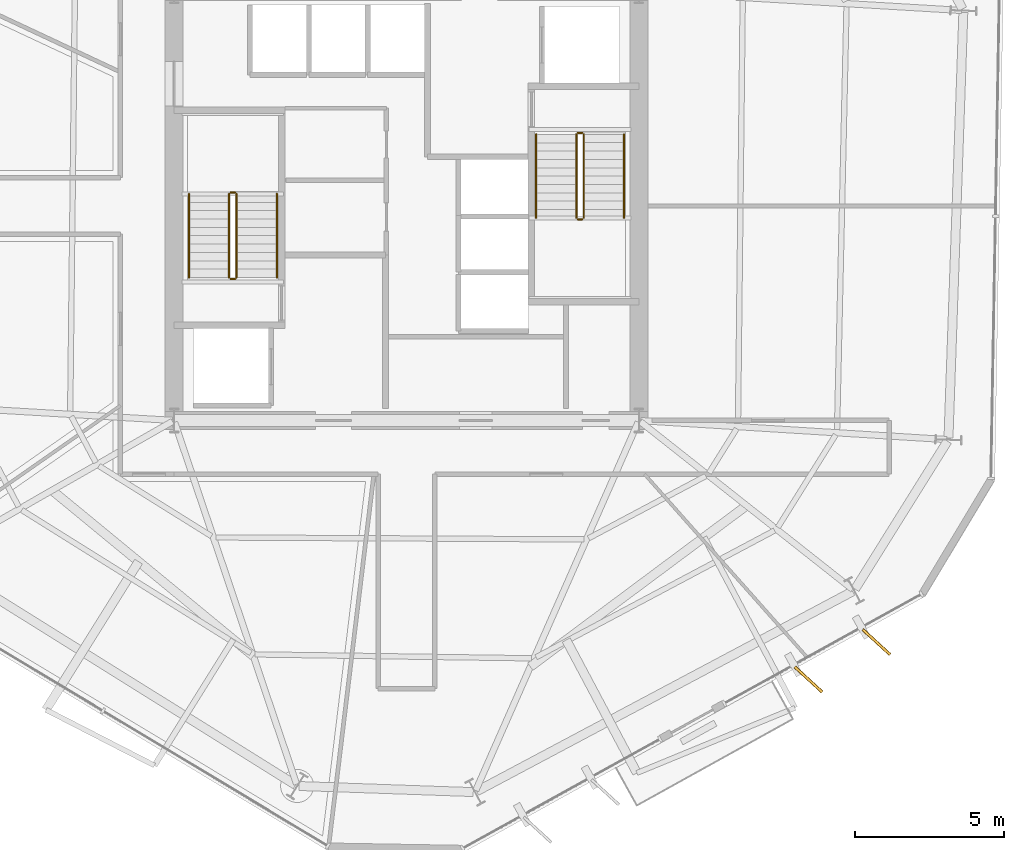
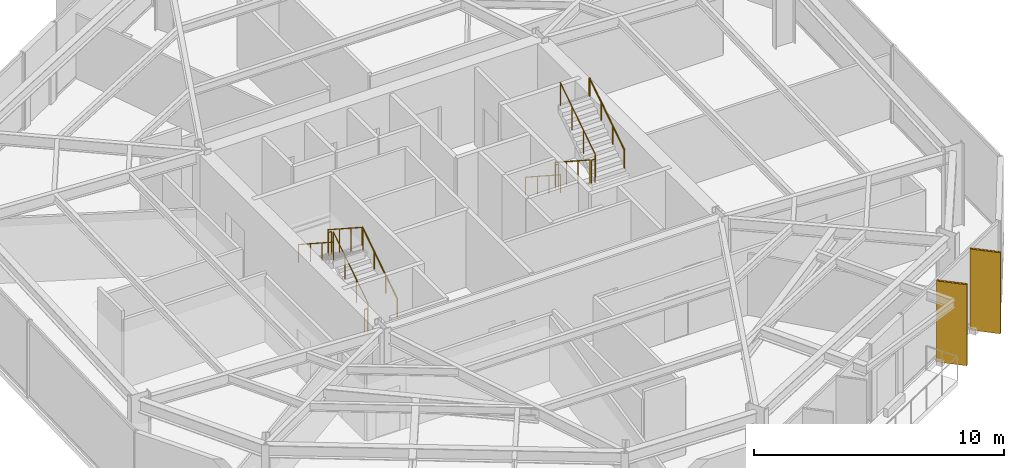
# One storey, part 10 of 11: 12 railings, 2 coverings, 2 shading devices.
"""IFC4 building model written with IfcOpenShell, lengths in metres."""

from ifc_helpers import new_model, si_unit, direction, frame, origin, origin_2d, place, context, subcontext, project, spatial, rectangle, circle, extrude, material, layer, layer_set, type_object, element, save


model = new_model("IFC4")

# Units and contexts
model_context = context("Model", 3, precision=1e-05, world=origin(), true_north=direction((0.0, 1.0)))
body_context = subcontext(model_context, "Body", "Model", "MODEL_VIEW")
ifc_project = project(units=[si_unit("LENGTHUNIT", "METRE"), si_unit("AREAUNIT", "SQUARE_METRE"), si_unit("VOLUMEUNIT", "CUBIC_METRE"), si_unit("PLANEANGLEUNIT", "RADIAN"), si_unit("MASSUNIT", "GRAM", prefix="KILO")], contexts=[model_context])

# Site, building, storey
site_placement = place(None, origin())
site = spatial("IfcSite", under=ifc_project, at=site_placement, CompositionType="ELEMENT")
building_placement = place(site_placement, origin())
building = spatial("IfcBuilding", under=site, at=building_placement, Name="Kranzbogen Civic Tower", CompositionType="ELEMENT")
storey_placement = place(building_placement, frame((0.0, 0.0, 138.39990234375)))
storey = spatial("IfcBuildingStorey", under=building, at=storey_placement, Name="L33", CompositionType="ELEMENT", Elevation=138.39990234375)

# Coverings
ifc_material_1 = material(Name="Pale Anodised Aluminium", Category="aluminium")
ifc_layer = layer(ifc_material_1, 0.02490234375, Name="Pale Anodised Aluminium")
ifc_layer_set = layer_set([ifc_layer], Name="Pale Anodised Aluminium")
covering_type = type_object("IfcCoveringType", Name="Anodised Aluminium Vertical Fin Cladding 25 mm", PredefinedType="CLADDING", material=ifc_layer_set)
for number, where, z_axis, x_axis, name in (
    (1, (38.493896484375, 9.10693359375, -0.139892578125), (0.0, 0.0, 1.0), (0.73622702441, -0.676734636714, 0.0), "L33 vertical fin pale-metal cladding F5-5"),
    (2, (40.76806640625, 10.366943359375, -0.139892578125), (0.0, 0.0, 1.0), (0.73622702441, -0.676734636714, 0.0), "L33 vertical fin pale-metal cladding F5-6"),
):
    element("IfcCovering", number, at=place(storey_placement, frame(where, z_axis=z_axis, x_axis=x_axis)), inside=storey, type_object=covering_type, Name=name, PredefinedType="CLADDING", context=body_context, shape_type="SweptSolid", body=[
        extrude(rectangle(XDim=1.25, YDim=0.10009765625, at=origin_2d()), origin(), (0.0, 0.0, 1.0), 3.9599609375),
    ])

# Shading devices
ifc_material_2 = material(Name="Anodised Bronze Aluminium", Category="aluminium")
shading_device_type = type_object("IfcShadingDeviceType", Name="Anodised Bronze Vertical Facade Fin 1250x80", PredefinedType="USERDEFINED", material=ifc_material_2)
for number, where, z_axis, x_axis, name in (
    (3, (38.493896484375, 9.10693359375, -0.139892578125), (0.0, 0.0, 1.0), (0.73622702441, -0.676734636714, 0.0), "L33 vertical exterior shading fin F5-5"),
    (4, (40.76806640625, 10.366943359375, -0.139892578125), (0.0, 0.0, 1.0), (0.73622702441, -0.676734636714, 0.0), "L33 vertical exterior shading fin F5-6"),
):
    element("IfcShadingDevice", number, at=place(storey_placement, frame(where, z_axis=z_axis, x_axis=x_axis)), inside=storey, type_object=shading_device_type, Name=name, ObjectType="FIN", PredefinedType="USERDEFINED", context=body_context, shape_type="SweptSolid", body=[
        extrude(rectangle(XDim=1.25, YDim=0.080078125, at=origin_2d()), origin(), (0.0, 0.0, 1.0), 3.9599609375),
    ])

# Railings
ifc_material_3 = material(Name="Steel S355", Category="steel")
railing_type_1 = type_object("IfcRailingType", Name="Internal Stair and Void Steel Guardrail 1150", PredefinedType="GUARDRAIL", material=ifc_material_3)
railing_1_placement = place(storey_placement, frame((19.300048828125, 22.60009765625, 0.181884765625)))
element("IfcRailing", 5, at=railing_1_placement, inside=storey, type_object=railing_type_1, Name="L33 ST-T1 stair guard 1", PredefinedType="GUARDRAIL", context=body_context, shape_type="SweptSolid", body=[
    extrude(circle(Radius=0.02392578125, at=origin_2d()), frame((0.0, 0.0, 1.1259765625), z_axis=(0.0, 0.83868413941, 0.544618136222), x_axis=(-1.0, 0.0, 0.0)), (0.0, 0.0, 1.0), 3.33837890625),
    extrude(circle(Radius=0.02099609375, at=origin_2d()), origin(), (0.0, 0.0, 1.0), 1.101806640625),
    extrude(circle(Radius=0.02099609375, at=origin_2d()), frame((0.0, 0.933349609375, 0.60595703125)), (0.0, 0.0, 1.0), 1.101806640625),
    extrude(circle(Radius=0.02099609375, at=origin_2d()), frame((0.0, 1.866455078125, 1.212158203125)), (0.0, 0.0, 1.0), 1.101806640625),
    extrude(circle(Radius=0.02099609375, at=origin_2d()), frame((0.0, 2.7998046875, 1.818115234375)), (0.0, 0.0, 1.0), 1.101806640625),
])
railing_2_placement = place(storey_placement, frame((19.25, 25.449951171875, 2.0)))
element("IfcRailing", 6, at=railing_2_placement, inside=storey, type_object=railing_type_1, Name="L33 ST-T1 stair guard 2", PredefinedType="GUARDRAIL", context=body_context, shape_type="SweptSolid", body=[
    extrude(circle(Radius=0.02392578125, at=origin_2d()), frame((0.0, 0.0, 1.1259765625), z_axis=(-1.0, 0.0, 0.0), x_axis=(0.0, -1.0, 0.0)), (0.0, 0.0, 1.0), 0.14990234375),
    extrude(circle(Radius=0.02099609375, at=origin_2d()), origin(), (0.0, 0.0, 1.0), 1.101806640625),
    extrude(circle(Radius=0.02099609375, at=origin_2d()), frame((-0.14990234375, 0.0, 0.0)), (0.0, 0.0, 1.0), 1.101806640625),
])
railing_3_placement = place(storey_placement, frame((19.050048828125, 25.39990234375, 2.181884765625)))
element("IfcRailing", 7, at=railing_3_placement, inside=storey, type_object=railing_type_1, Name="L33 ST-T1 stair guard 3", PredefinedType="GUARDRAIL", context=body_context, shape_type="SweptSolid", body=[
    extrude(circle(Radius=0.02392578125, at=origin_2d()), frame((0.0, 0.0, 1.1259765625), z_axis=(0.0, -0.83868413941, 0.544618136222), x_axis=(1.0, 0.0, 0.0)), (0.0, 0.0, 1.0), 3.33837890625),
    extrude(circle(Radius=0.02099609375, at=origin_2d()), origin(), (0.0, 0.0, 1.0), 1.101806640625),
    extrude(circle(Radius=0.02099609375, at=origin_2d()), frame((0.0, -0.933349609375, 0.60595703125)), (0.0, 0.0, 1.0), 1.101806640625),
    extrude(circle(Radius=0.02099609375, at=origin_2d()), frame((0.0, -1.866455078125, 1.212158203125)), (0.0, 0.0, 1.0), 1.101806640625),
    extrude(circle(Radius=0.02099609375, at=origin_2d()), frame((0.0, -2.7998046875, 1.818115234375)), (0.0, 0.0, 1.0), 1.101806640625),
])
railing_4_placement = place(storey_placement, frame((19.25, 22.550048828125, 0.0)))
element("IfcRailing", 8, at=railing_4_placement, inside=storey, type_object=railing_type_1, Name="L33 ST-T1 stair guard 4", PredefinedType="GUARDRAIL", context=body_context, shape_type="SweptSolid", body=[
    extrude(circle(Radius=0.02392578125, at=origin_2d()), frame((0.0, 0.0, 1.1259765625), z_axis=(-1.0, 0.0, 0.0), x_axis=(0.0, -1.0, 0.0)), (0.0, 0.0, 1.0), 0.14990234375),
    extrude(circle(Radius=0.02099609375, at=origin_2d()), origin(), (0.0, 0.0, 1.0), 1.101806640625),
    extrude(circle(Radius=0.02099609375, at=origin_2d()), frame((-0.14990234375, 0.0, 0.0)), (0.0, 0.0, 1.0), 1.101806640625),
])
railing_5_placement = place(storey_placement, frame((30.699951171875, 27.39990234375, 0.181884765625)))
element("IfcRailing", 9, at=railing_5_placement, inside=storey, type_object=railing_type_1, Name="L33 ST-T2 stair guard 1", PredefinedType="GUARDRAIL", context=body_context, shape_type="SweptSolid", body=[
    extrude(circle(Radius=0.02392578125, at=origin_2d()), frame((0.0, 0.0, 1.1259765625), z_axis=(0.0, -0.83868413941, 0.544618136222), x_axis=(1.0, 0.0, 0.0)), (0.0, 0.0, 1.0), 3.33837890625),
    extrude(circle(Radius=0.02099609375, at=origin_2d()), origin(), (0.0, 0.0, 1.0), 1.101806640625),
    extrude(circle(Radius=0.02099609375, at=origin_2d()), frame((0.0, -0.933349609375, 0.60595703125)), (0.0, 0.0, 1.0), 1.101806640625),
    extrude(circle(Radius=0.02099609375, at=origin_2d()), frame((0.0, -1.866455078125, 1.212158203125)), (0.0, 0.0, 1.0), 1.101806640625),
    extrude(circle(Radius=0.02099609375, at=origin_2d()), frame((0.0, -2.7998046875, 1.818115234375)), (0.0, 0.0, 1.0), 1.101806640625),
])
railing_6_placement = place(storey_placement, frame((30.75, 24.550048828125, 2.0)))
element("IfcRailing", 10, at=railing_6_placement, inside=storey, type_object=railing_type_1, Name="L33 ST-T2 stair guard 2", PredefinedType="GUARDRAIL", context=body_context, shape_type="SweptSolid", body=[
    extrude(circle(Radius=0.02392578125, at=origin_2d()), frame((0.0, 0.0, 1.1259765625), z_axis=(1.0, 0.0, 0.0), x_axis=(0.0, 1.0, 0.0)), (0.0, 0.0, 1.0), 0.14990234375),
    extrude(circle(Radius=0.02099609375, at=origin_2d()), origin(), (0.0, 0.0, 1.0), 1.101806640625),
    extrude(circle(Radius=0.02099609375, at=origin_2d()), frame((0.14990234375, 0.0, 0.0)), (0.0, 0.0, 1.0), 1.101806640625),
])
railing_7_placement = place(storey_placement, frame((30.949951171875, 24.60009765625, 2.181884765625)))
element("IfcRailing", 11, at=railing_7_placement, inside=storey, type_object=railing_type_1, Name="L33 ST-T2 stair guard 3", PredefinedType="GUARDRAIL", context=body_context, shape_type="SweptSolid", body=[
    extrude(circle(Radius=0.02392578125, at=origin_2d()), frame((0.0, 0.0, 1.1259765625), z_axis=(0.0, 0.83868413941, 0.544618136222), x_axis=(-1.0, 0.0, 0.0)), (0.0, 0.0, 1.0), 3.33837890625),
    extrude(circle(Radius=0.02099609375, at=origin_2d()), origin(), (0.0, 0.0, 1.0), 1.101806640625),
    extrude(circle(Radius=0.02099609375, at=origin_2d()), frame((0.0, 0.933349609375, 0.60595703125)), (0.0, 0.0, 1.0), 1.101806640625),
    extrude(circle(Radius=0.02099609375, at=origin_2d()), frame((0.0, 1.866455078125, 1.212158203125)), (0.0, 0.0, 1.0), 1.101806640625),
    extrude(circle(Radius=0.02099609375, at=origin_2d()), frame((0.0, 2.7998046875, 1.818115234375)), (0.0, 0.0, 1.0), 1.101806640625),
])
railing_8_placement = place(storey_placement, frame((30.75, 27.449951171875, 0.0)))
element("IfcRailing", 12, at=railing_8_placement, inside=storey, type_object=railing_type_1, Name="L33 ST-T2 stair guard 4", PredefinedType="GUARDRAIL", context=body_context, shape_type="SweptSolid", body=[
    extrude(circle(Radius=0.02392578125, at=origin_2d()), frame((0.0, 0.0, 1.1259765625), z_axis=(1.0, 0.0, 0.0), x_axis=(0.0, 1.0, 0.0)), (0.0, 0.0, 1.0), 0.14990234375),
    extrude(circle(Radius=0.02099609375, at=origin_2d()), origin(), (0.0, 0.0, 1.0), 1.101806640625),
    extrude(circle(Radius=0.02099609375, at=origin_2d()), frame((0.14990234375, 0.0, 0.0)), (0.0, 0.0, 1.0), 1.101806640625),
])
railing_type_2 = type_object("IfcRailingType", Name="Tubular Stainless Stair Wall Handrail 900", PredefinedType="HANDRAIL", material=ifc_material_1)
railing_9_placement = place(storey_placement, frame((20.64990234375, 22.60009765625, 0.181884765625)))
element("IfcRailing", 13, at=railing_9_placement, inside=storey, type_object=railing_type_2, Name="L33 ST-T1 stair handrail 1", PredefinedType="HANDRAIL", context=body_context, shape_type="SweptSolid", body=[
    extrude(circle(Radius=0.02392578125, at=origin_2d()), frame((0.0, 0.0, 0.8759765625), z_axis=(0.0, 0.83868413941, 0.544618136222), x_axis=(-1.0, 0.0, 0.0)), (0.0, 0.0, 1.0), 3.33837890625),
    extrude(circle(Radius=0.02099609375, at=origin_2d()), origin(), (0.0, 0.0, 1.0), 0.851806640625),
    extrude(circle(Radius=0.02099609375, at=origin_2d()), frame((0.0, 0.933349609375, 0.60595703125)), (0.0, 0.0, 1.0), 0.851806640625),
    extrude(circle(Radius=0.02099609375, at=origin_2d()), frame((0.0, 1.866455078125, 1.212158203125)), (0.0, 0.0, 1.0), 0.851806640625),
    extrude(circle(Radius=0.02099609375, at=origin_2d()), frame((0.0, 2.7998046875, 1.818115234375)), (0.0, 0.0, 1.0), 0.851806640625),
])
for number, where, name in (
    (14, (17.699951171875, 25.39990234375, 2.181884765625), "L33 ST-T1 stair handrail 2"),
    (15, (29.35009765625, 27.39990234375, 0.181884765625), "L33 ST-T2 stair handrail 1"),
):
    element("IfcRailing", number, at=place(storey_placement, frame(where)), inside=storey, type_object=railing_type_2, Name=name, PredefinedType="HANDRAIL", context=body_context, shape_type="SweptSolid", body=[
        extrude(circle(Radius=0.02392578125, at=origin_2d()), frame((0.0, 0.0, 0.8759765625), z_axis=(0.0, -0.83868413941, 0.544618136222), x_axis=(1.0, 0.0, 0.0)), (0.0, 0.0, 1.0), 3.33837890625),
        extrude(circle(Radius=0.02099609375, at=origin_2d()), origin(), (0.0, 0.0, 1.0), 0.851806640625),
        extrude(circle(Radius=0.02099609375, at=origin_2d()), frame((0.0, -0.933349609375, 0.60595703125)), (0.0, 0.0, 1.0), 0.851806640625),
        extrude(circle(Radius=0.02099609375, at=origin_2d()), frame((0.0, -1.866455078125, 1.212158203125)), (0.0, 0.0, 1.0), 0.851806640625),
        extrude(circle(Radius=0.02099609375, at=origin_2d()), frame((0.0, -2.7998046875, 1.818115234375)), (0.0, 0.0, 1.0), 0.851806640625),
    ])
railing_10_placement = place(storey_placement, frame((32.300048828125, 24.60009765625, 2.181884765625)))
element("IfcRailing", 16, at=railing_10_placement, inside=storey, type_object=railing_type_2, Name="L33 ST-T2 stair handrail 2", PredefinedType="HANDRAIL", context=body_context, shape_type="SweptSolid", body=[
    extrude(circle(Radius=0.02392578125, at=origin_2d()), frame((0.0, 0.0, 0.8759765625), z_axis=(0.0, 0.83868413941, 0.544618136222), x_axis=(-1.0, 0.0, 0.0)), (0.0, 0.0, 1.0), 3.33837890625),
    extrude(circle(Radius=0.02099609375, at=origin_2d()), origin(), (0.0, 0.0, 1.0), 0.851806640625),
    extrude(circle(Radius=0.02099609375, at=origin_2d()), frame((0.0, 0.933349609375, 0.60595703125)), (0.0, 0.0, 1.0), 0.851806640625),
    extrude(circle(Radius=0.02099609375, at=origin_2d()), frame((0.0, 1.866455078125, 1.212158203125)), (0.0, 0.0, 1.0), 0.851806640625),
    extrude(circle(Radius=0.02099609375, at=origin_2d()), frame((0.0, 2.7998046875, 1.818115234375)), (0.0, 0.0, 1.0), 0.851806640625),
])

save(model, "model.ifc")
